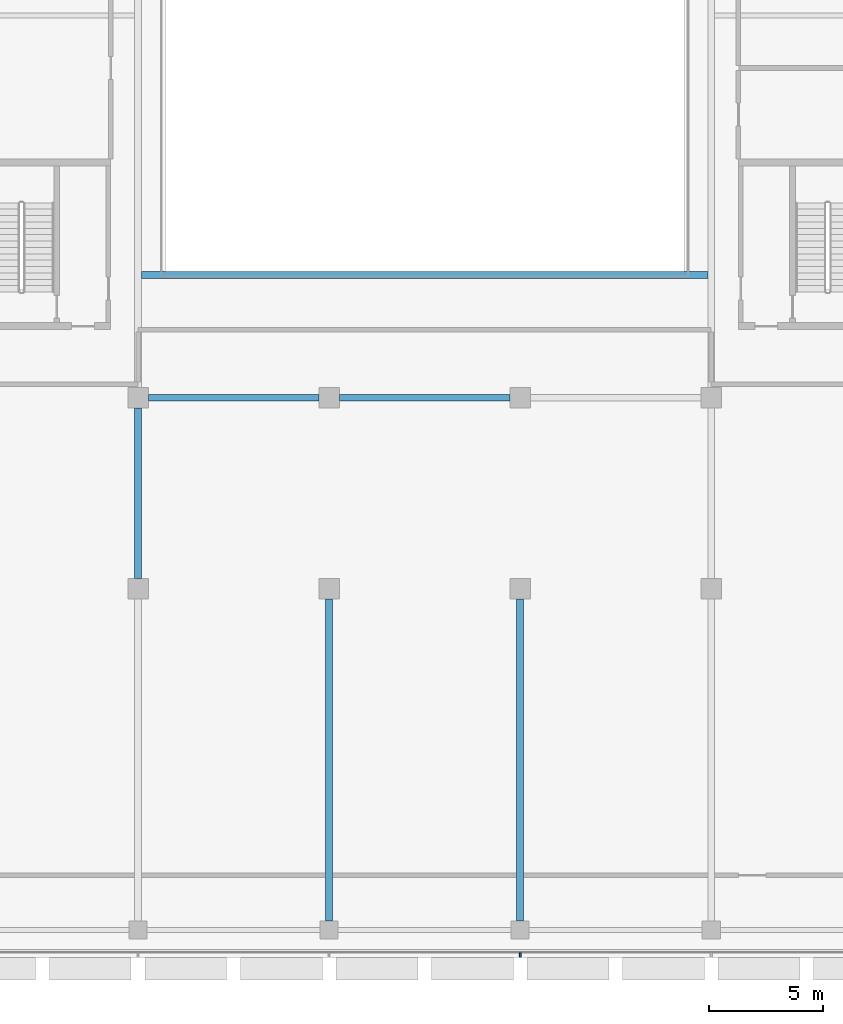
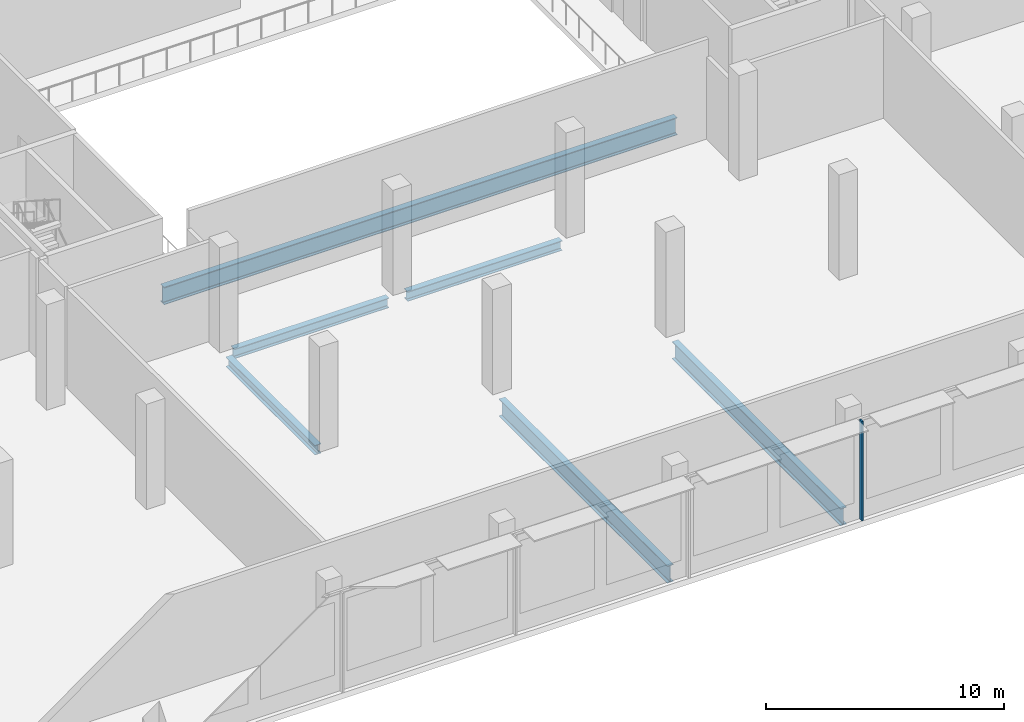
# One storey, part 6 of 39: 6 beams, 1 member, 1 element without a shape of its own.
"""IFC4 building model written with IfcOpenShell, lengths in metres."""

from ifc_helpers import new_model, si_unit, direction, frame, origin, origin_2d, place, context, subcontext, project, spatial, rectangle, i_section, extrude, material, material_profile, profile_set, type_object, element, aggregate, save


model = new_model("IFC4")

# Units and contexts
model_context = context("Model", 3, precision=1e-05, world=origin(), true_north=direction((0.0, 1.0)))
body_context = subcontext(model_context, "Body", "Model", "MODEL_VIEW")
ifc_project = project(units=[si_unit("LENGTHUNIT", "METRE"), si_unit("AREAUNIT", "SQUARE_METRE"), si_unit("VOLUMEUNIT", "CUBIC_METRE"), si_unit("PLANEANGLEUNIT", "RADIAN"), si_unit("MASSUNIT", "GRAM", prefix="KILO")], contexts=[model_context])

# Site, building, storey
site_placement = place(None, origin())
site = spatial("IfcSite", under=ifc_project, at=site_placement, CompositionType="ELEMENT")
building_placement = place(site_placement, origin())
building = spatial("IfcBuilding", under=site, at=building_placement, Name="Saffron Gate Tower", CompositionType="ELEMENT")
storey_placement = place(building_placement, frame((0.0, 0.0, 9.0)))
storey = spatial("IfcBuildingStorey", under=building, at=storey_placement, Name="L01", CompositionType="ELEMENT", Elevation=9.0)

# Beams
ifc_material_1 = material(Name="Structural steel S355", Category="steel")
ifc_material_profile_1 = material_profile(ifc_material_1, i_section(OverallWidth=0.300048828125, OverallDepth=0.889892578125, WebThickness=0.01611328125, FlangeThickness=0.030029296875, FilletRadius=0.030029296875, at=origin_2d()))
ifc_profile_set_1 = profile_set([ifc_material_profile_1], Name="Structural steel S355")
beam_type_1 = type_object("IfcBeamType", Name="B19 HEA 900", PredefinedType="BEAM", material=ifc_profile_set_1)
for number, where, z_axis, x_axis, name in (
    (1, (83.39990234375, 17.199951171875, -0.7451171875), (0.0, 1.0, 0.0), (-1.0, 0.0, 0.0), "B19 PODIUM RING GIRDER"),
    (2, (91.800048828125, 17.199951171875, -0.7451171875), (0.0, 1.0, 0.0), (-1.0, 0.0, 0.0), "B19 PODIUM RING GIRDER"),
):
    element("IfcBeam", number, at=place(storey_placement, frame(where, z_axis=z_axis, x_axis=x_axis)), inside=storey, type_object=beam_type_1, Name=name, PredefinedType="BEAM", context=body_context, shape_type="SweptSolid", body=[
        extrude(i_section(OverallWidth=0.300048828125, OverallDepth=0.889892578125, WebThickness=0.01611328125, FlangeThickness=0.030029296875, FilletRadius=0.030029296875, at=origin_2d()), origin(), (0.0, 0.0, 1.0), 14.150146484375),
    ])
ifc_material_profile_2 = material_profile(ifc_material_1, i_section(OverallWidth=0.300048828125, OverallDepth=0.89990234375, WebThickness=0.0185546875, FlangeThickness=0.034912109375, FilletRadius=0.030029296875, at=origin_2d()))
ifc_profile_set_2 = profile_set([ifc_material_profile_2], Name="Structural steel S355")
beam_type_2 = type_object("IfcBeamType", Name="B20 HEB 900", PredefinedType="BEAM", material=ifc_profile_set_2)
beam_placement = place(storey_placement, frame((75.14990234375, 45.60009765625, -0.75), z_axis=(1.0, 0.0, 0.0), x_axis=(0.0, 1.0, 0.0)))
element("IfcBeam", 3, at=beam_placement, inside=storey, type_object=beam_type_2, Name="B20 ATRIUM GIRDER", PredefinedType="BEAM", context=body_context, shape_type="SweptSolid", body=[
    extrude(i_section(OverallWidth=0.300048828125, OverallDepth=0.89990234375, WebThickness=0.0185546875, FlangeThickness=0.034912109375, FilletRadius=0.030029296875, at=origin_2d()), origin(), (0.0, 0.0, 1.0), 24.900146484375),
])
ifc_material_profile_3 = material_profile(ifc_material_1, i_section(OverallWidth=0.300048828125, OverallDepth=0.5, WebThickness=0.014404296875, FlangeThickness=0.028076171875, FilletRadius=0.027099609375, at=origin_2d()))
ifc_profile_set_3 = profile_set([ifc_material_profile_3], Name="Structural steel S355")
beam_type_3 = type_object("IfcBeamType", Name="B9 HEB 500", PredefinedType="BEAM", material=ifc_profile_set_3)
for number, where, z_axis, x_axis, name in (
    (4, (75.0, 32.25, -0.550048828125), (0.0, 1.0, 0.0), (-1.0, 0.0, 0.0), "B9 FLOOR GIRDER"),
    (5, (75.449951171875, 40.199951171875, -0.550048828125), (1.0, 0.0, 0.0), (0.0, 1.0, 0.0), "B9 FLOOR GIRDER"),
    (6, (83.85009765625, 40.199951171875, -0.550048828125), (1.0, 0.0, 0.0), (0.0, 1.0, 0.0), "B9 FLOOR GIRDER"),
):
    element("IfcBeam", number, at=place(storey_placement, frame(where, z_axis=z_axis, x_axis=x_axis)), inside=storey, type_object=beam_type_3, Name=name, PredefinedType="BEAM", context=body_context, shape_type="SweptSolid", body=[
        extrude(i_section(OverallWidth=0.300048828125, OverallDepth=0.5, WebThickness=0.014404296875, FlangeThickness=0.028076171875, FilletRadius=0.027099609375, at=origin_2d()), origin(), (0.0, 0.0, 1.0), 7.5),
    ])

# Curtain wall, member
ifc_material_2 = material(Name="Aluminium, bronze anodised", Category="aluminium")
curtain_wall_type = type_object("IfcCurtainWallType", Name="CWS5 curtain wall podium ring base", PredefinedType="NOTDEFINED", material=ifc_material_2)
curtain_wall_placement = place(storey_placement, origin())
curtain_wall = element("IfcCurtainWall", 7, at=curtain_wall_placement, inside=storey, type_object=curtain_wall_type, Name="CWS5 run 1", PredefinedType="NOTDEFINED")
ifc_material_profile_4 = material_profile(ifc_material_2, rectangle(XDim=0.199951171875, YDim=0.080078125, at=origin_2d()))
ifc_profile_set_4 = profile_set([ifc_material_profile_4], Name="Aluminium, bronze anodised")
member_type = type_object("IfcMemberType", Name="CWS5 mullion 80x200", PredefinedType="MULLION", material=ifc_profile_set_4)
member_placement = place(storey_placement, frame((91.800048828125, 15.699951171875, 0.0), z_axis=(0.0, 0.0, 1.0), x_axis=(0.0, 1.0, 0.0)))
member = element("IfcMember", 8, at=member_placement, type_object=member_type, Name="CWS5 mullion 9", PredefinedType="MULLION", context=body_context, shape_type="SweptSolid", body=[
    extrude(rectangle(XDim=0.199951171875, YDim=0.080078125, at=origin_2d()), origin(), (0.0, 0.0, 1.0), 5.10009765625),
])
aggregate(curtain_wall, [member])

save(model, "model.ifc")
